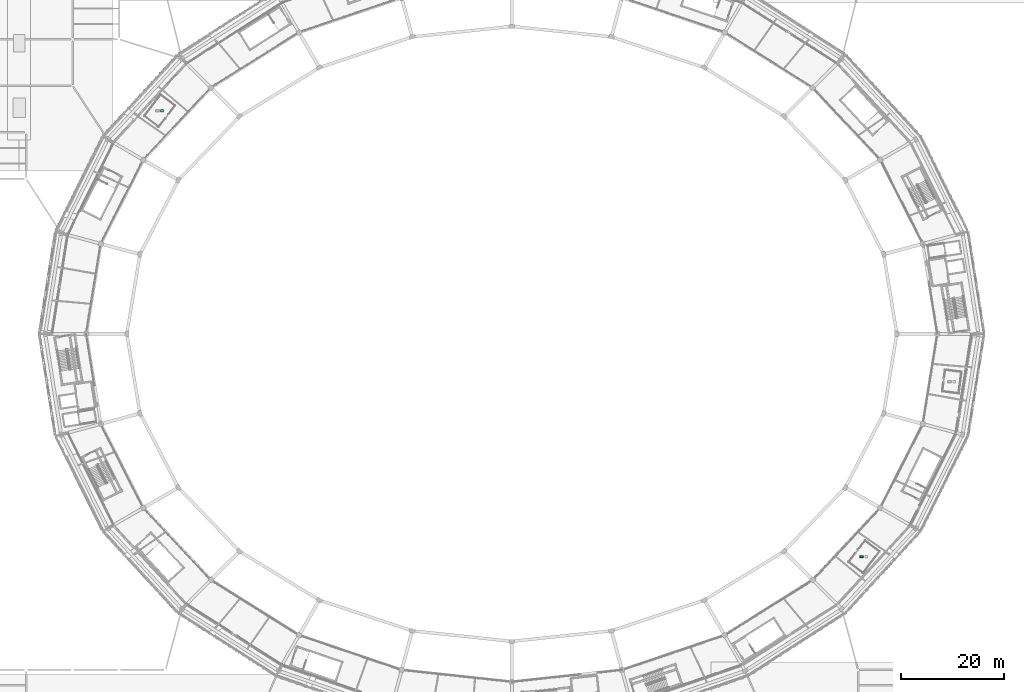
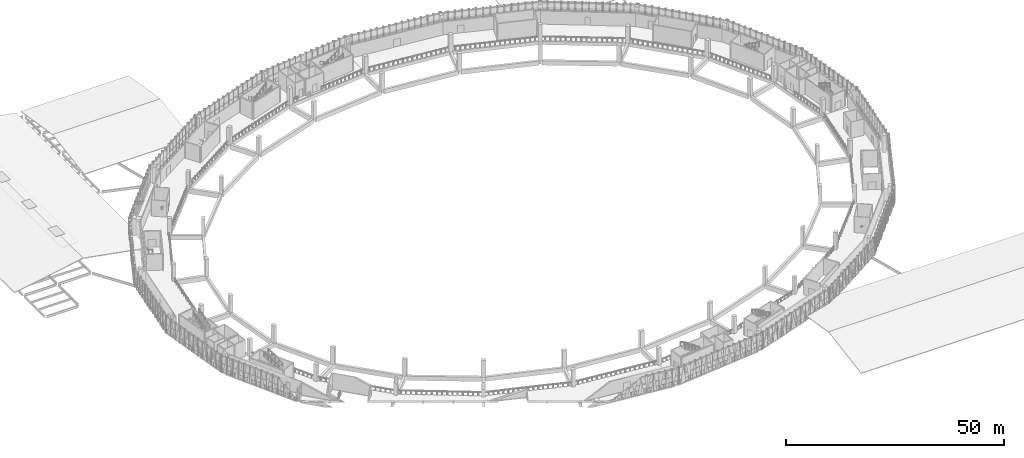
# One storey, part 107 of 108: 2 sanitary terminals.
"""IFC4 building model written with IfcOpenShell, lengths in metres."""

import ifcopenshell
import ifcopenshell.guid

model = None  # the IFC model being written
_history = None  # IfcOwnerHistory: only IFC2X3 demands one
_inside = {}  # id of a spatial element -> (the spatial element, [elements in it])
_under = {}  # id of a project, library or spatial element -> (it, [spatial elements below it])
_declared = {}  # id of a project -> (the project, [libraries it declares])
_typed = {}  # id of a type object -> (the type object, [elements of that type])
_made_of = {}  # id of a material, layer set ... -> (it, [elements and type objects made of it])


def new_model(schema):
    """Start an empty IFC model of exactly this schema.

    Asked for "IFC4X3", IfcOpenShell would pick the latest addendum, in which some entities
    have other attributes; the version numbers below select the first issue.
    IFC2X3 requires an IfcOwnerHistory on every rooted entity: one is made here for all.
    """
    global model, _history
    if schema == "IFC4X3":
        model = ifcopenshell.file(schema_version=(4, 3, 0, 0))
    else:
        model = ifcopenshell.file(schema=schema)
    _inside.clear()
    _under.clear()
    _declared.clear()
    _typed.clear()
    _made_of.clear()
    _history = None
    if model.schema == "IFC2X3":
        org = make("IfcOrganization", Name="unknown")
        user = make(
            "IfcPersonAndOrganization",
            ThePerson=make("IfcPerson", FamilyName="unknown"),
            TheOrganization=org,
        )
        app = make(
            "IfcApplication",
            ApplicationDeveloper=org,
            Version="unknown",
            ApplicationFullName="unknown",
            ApplicationIdentifier="unknown",
        )
        _history = make(
            "IfcOwnerHistory",
            OwningUser=user,
            OwningApplication=app,
            ChangeAction="ADDED",
            CreationDate=0,
        )
    return model


def make(cls, **values):
    """One entity of the class cls with the attributes given. An attribute that is None is left unset."""
    return model.create_entity(
        cls, **{name: value for name, value in values.items() if value is not None}
    )


def rooted(cls, **values):
    """An entity with a GlobalId (a new one), such as an element, a storey or a relation."""
    return make(cls, GlobalId=ifcopenshell.guid.new(), OwnerHistory=_history, **values)


def si_unit(unit_type, name, prefix=None):
    """IfcSIUnit, for example si_unit("LENGTHUNIT", "METRE", prefix="MILLI")."""
    return make("IfcSIUnit", UnitType=unit_type, Prefix=prefix, Name=name)


def assignment(units):
    """IfcUnitAssignment: the units of a project."""
    return None if units is None else make("IfcUnitAssignment", Units=units)


def point(xyz):
    """IfcCartesianPoint."""
    return None if xyz is None else make("IfcCartesianPoint", Coordinates=xyz)


def direction(xyz):
    """IfcDirection."""
    return None if xyz is None else make("IfcDirection", DirectionRatios=xyz)


def frame(location, z_axis=None, x_axis=None):
    """IfcAxis2Placement3D, a coordinate frame: its origin and axes. An axis left out is left unset."""
    return make(
        "IfcAxis2Placement3D",
        Location=point(location),
        Axis=direction(z_axis),
        RefDirection=direction(x_axis),
    )


def frame_2d(location, x_axis=None):
    """IfcAxis2Placement2D, a coordinate frame in the plane: its origin and x axis."""
    return make(
        "IfcAxis2Placement2D", Location=point(location), RefDirection=direction(x_axis)
    )


def origin():
    """The frame at (0, 0, 0) with its axes left unset."""
    return frame((0.0, 0.0, 0.0))


def origin_2d():
    """The frame at (0, 0) in the plane with its x axis left unset."""
    return frame_2d((0.0, 0.0))


def place(relative_to, where):
    """IfcLocalPlacement: puts the frame where relative to a parent placement (None: the world)."""
    return make(
        "IfcLocalPlacement", PlacementRelTo=relative_to, RelativePlacement=where
    )


def context(
    kind, dimensions, precision=None, world=None, true_north=None, identifier=None
):
    """IfcGeometricRepresentationContext, for example the 3D "Model" context."""
    return make(
        "IfcGeometricRepresentationContext",
        ContextIdentifier=identifier,
        ContextType=kind,
        CoordinateSpaceDimension=dimensions,
        Precision=precision,
        WorldCoordinateSystem=world,
        TrueNorth=true_north,
    )


def subcontext(parent, identifier, kind, view, scale=None):
    """IfcGeometricRepresentationSubContext, for example "Body" below "Model"."""
    return make(
        "IfcGeometricRepresentationSubContext",
        ContextIdentifier=identifier,
        ContextType=kind,
        ParentContext=parent,
        TargetScale=scale,
        TargetView=view,
    )


def project(units=None, contexts=None):
    """IfcProject with its units and contexts."""
    return rooted(
        "IfcProject",
        Name="project",
        RepresentationContexts=contexts,
        UnitsInContext=assignment(units),
    )


def spatial(cls, under=None, at=None, **own):
    """A site, building, storey or space (cls), placed at a placement, below another one or the project."""
    s = rooted(cls, ObjectPlacement=at, **own)
    if under is not None:
        _under.setdefault(under.id(), (under, []))[1].append(s)
    return s


def profile(cls, at=None, kind="AREA", **sizes):
    """A parametric profile (cls). Its sizes go by their IFC names, for example OverallWidth=200.0."""
    return make(cls, ProfileType=kind, Position=at, **sizes)


def rectangle(**sizes):
    """IfcRectangleProfileDef."""
    return profile("IfcRectangleProfileDef", **sizes)


def extrude(swept, where, along, depth):
    """IfcExtrudedAreaSolid: the profile swept, set in the frame where, extruded along a direction by depth."""
    return make(
        "IfcExtrudedAreaSolid",
        SweptArea=swept,
        Position=where,
        ExtrudedDirection=direction(along),
        Depth=depth,
    )


def shape(context_of_items, identifier, shape_type, items):
    """IfcShapeRepresentation: the items that make up one representation, for example the "Body"."""
    return make(
        "IfcShapeRepresentation",
        ContextOfItems=context_of_items,
        RepresentationIdentifier=identifier,
        RepresentationType=shape_type,
        Items=items,
    )


def material(Name=None, Category=None):
    """IfcMaterial."""
    return make("IfcMaterial", Name=Name, Category=Category)


def made_of(thing, what):
    """Note that an element or type object is made of a material, layer set ...; save() writes the relation."""
    if what is not None:
        _made_of.setdefault(what.id(), (what, []))[1].append(thing)
    return thing


def type_object(cls, material=None, **own):
    """A type object (cls), such as IfcWallType, which elements share."""
    return made_of(rooted(cls, **own), material)


def element(
    cls,
    number,
    at=None,
    inside=None,
    cuts=None,
    type_object=None,
    material=None,
    context=None,
    identifier="Body",
    shape_type=None,
    held_by="IfcProductDefinitionShape",
    body=None,
    shapes=None,
    **own,
):
    """One element of the class cls, such as IfcWall. Its Tag is "e" and its number.

    at: its placement. inside: the storey or other place that contains it. cuts: it is an
    opening in that element (IfcRelVoidsElement). A single representation is given by context,
    identifier, shape_type and body (its items); several are given by shapes. held_by: the class
    of the entity that holds the representations. save() writes the other relations.
    """
    e = rooted(cls, Tag="e%d" % number, ObjectPlacement=at, **own)
    if body is not None:
        shapes = [shape(context, identifier, shape_type, body)]
    if shapes is not None:
        e.Representation = make(held_by, Representations=shapes)
    if inside is not None:
        _inside.setdefault(inside.id(), (inside, []))[1].append(e)
    if cuts is not None:
        rooted(
            "IfcRelVoidsElement", RelatingBuildingElement=cuts, RelatedOpeningElement=e
        )
    if type_object is not None:
        _typed.setdefault(type_object.id(), (type_object, []))[1].append(e)
    return made_of(e, material)


def aggregate(whole, parts):
    """IfcRelAggregates: a whole, such as a stair, and the parts it consists of."""
    return rooted("IfcRelAggregates", RelatingObject=whole, RelatedObjects=parts)


def save(model, path):
    """Write the relations noted so far, then the file.

    IfcRelAggregates (storeys below a building ...), IfcRelContainedInSpatialStructure (elements
    in a storey), IfcRelDefinesByType, IfcRelAssociatesMaterial and IfcRelDeclares: one each for
    every whole, place, type object, material and project.
    """
    for whole, parts in _under.values():
        aggregate(whole, parts)
    for where, things in _inside.values():
        rooted(
            "IfcRelContainedInSpatialStructure",
            RelatedElements=things,
            RelatingStructure=where,
        )
    for kind, things in _typed.values():
        rooted("IfcRelDefinesByType", RelatedObjects=things, RelatingType=kind)
    for what, things in _made_of.values():
        rooted("IfcRelAssociatesMaterial", RelatedObjects=things, RelatingMaterial=what)
    for by, libraries in _declared.values():
        rooted("IfcRelDeclares", RelatingContext=by, RelatedDefinitions=libraries)
    model.write(path)


model = new_model("IFC4")

# Units and contexts
model_context = context("Model", 3, precision=1e-05, world=origin(), true_north=direction((0.0, 1.0)))
body_context = subcontext(model_context, "Body", "Model", "MODEL_VIEW")
ifc_project = project(units=[si_unit("LENGTHUNIT", "METRE"), si_unit("AREAUNIT", "SQUARE_METRE"), si_unit("VOLUMEUNIT", "CUBIC_METRE"), si_unit("PLANEANGLEUNIT", "RADIAN"), si_unit("MASSUNIT", "GRAM", prefix="KILO")], contexts=[model_context])

# Site, building, storey
site_placement = place(None, origin())
site = spatial("IfcSite", under=ifc_project, at=site_placement, CompositionType="ELEMENT")
building_placement = place(site_placement, origin())
building = spatial("IfcBuilding", under=site, at=building_placement, Name="Zevraka Park Crest Stadium", CompositionType="ELEMENT")
storey_placement = place(building_placement, frame((0.0, 0.0, 19.800048828125)))
storey = spatial("IfcBuildingStorey", under=building, at=storey_placement, Name="L04", CompositionType="ELEMENT", Elevation=19.800048828125)

# Sanitary terminals
ifc_material_1 = material(Name="Vitreous china sanitaryware", Category="other")
sanitary_terminal_type_1 = type_object("IfcSanitaryTerminalType", Name="SAN02", PredefinedType="WASHHANDBASIN", material=ifc_material_1)
sanitary_terminal_1_placement = place(storey_placement, frame((44.301025390625, 135.162109375, 0.0), z_axis=(0.0, 0.0, 1.0), x_axis=(1.0, 0.0, 0.0)))
element("IfcSanitaryTerminal", 1, at=sanitary_terminal_1_placement, inside=storey, type_object=sanitary_terminal_type_1, Name="Washhand Basin L04-001", PredefinedType="WASHHANDBASIN", context=body_context, shape_type="SweptSolid", body=[
    extrude(rectangle(XDim=0.550048828125, YDim=0.449951171875, at=origin_2d()), origin(), (0.0, 0.0, 1.0), 0.85009765625),
])
ifc_material_2 = material(Name="Vitreous china sanitaryware", Category="other")
sanitary_terminal_type_2 = type_object("IfcSanitaryTerminalType", Name="WC01", PredefinedType="TOILETPAN", material=ifc_material_2)
sanitary_terminal_2_placement = place(storey_placement, frame((179.698974609375, 48.837890625, 0.0), z_axis=(0.0, 0.0, 1.0), x_axis=(1.0, 0.0, 0.0)))
element("IfcSanitaryTerminal", 2, at=sanitary_terminal_2_placement, inside=storey, type_object=sanitary_terminal_type_2, Name="WC Pan L04-002", PredefinedType="TOILETPAN", context=body_context, shape_type="SweptSolid", body=[
    extrude(rectangle(XDim=0.679931640625, YDim=0.3798828125, at=origin_2d()), origin(), (0.0, 0.0, 1.0), 0.419921875),
])

save(model, "model.ifc")
